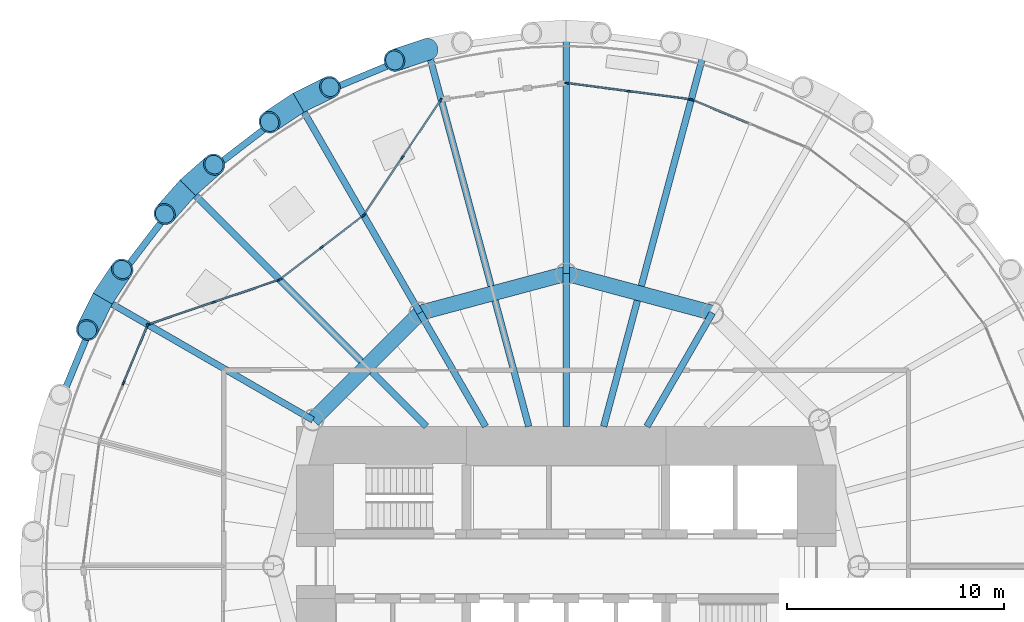
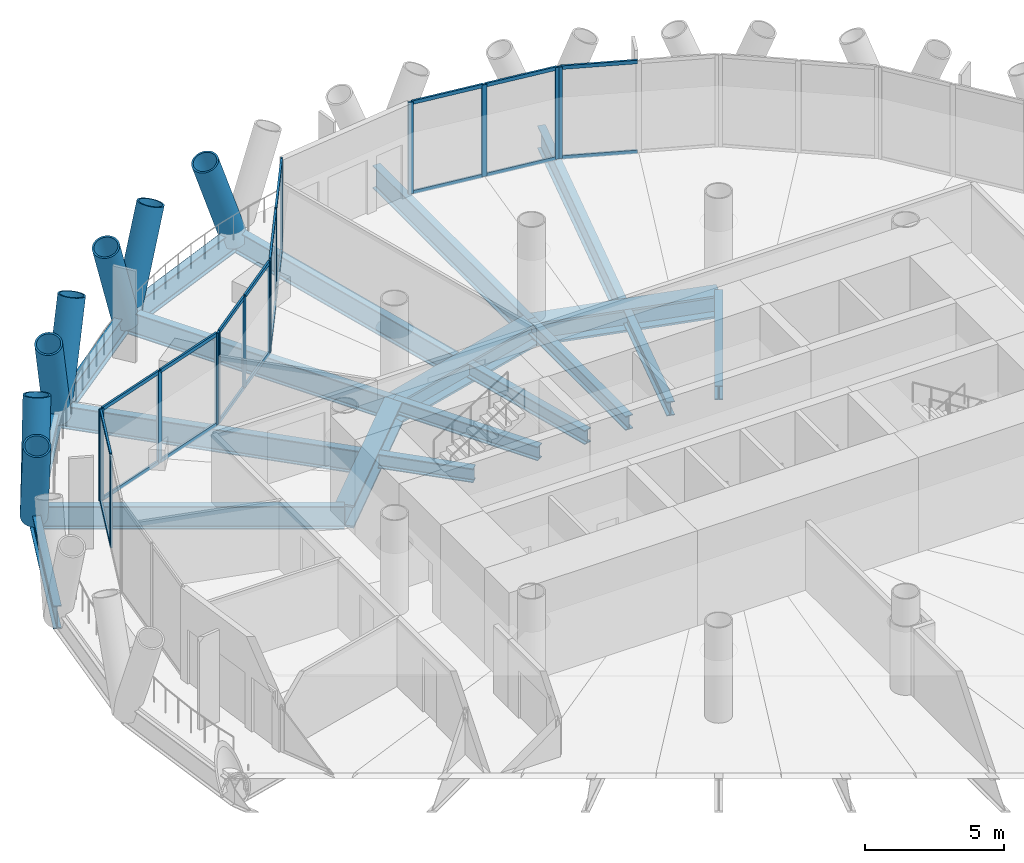
# One storey, part 5 of 14: 42 members, 19 beams, 6 elements without a shape of their own.
"""IFC4 building model written with IfcOpenShell, lengths in metres."""

from ifc_helpers import new_model, si_unit, direction, frame, origin, origin_2d, place, context, subcontext, project, spatial, rectangle, hollow_circle, i_section, extrude, material, material_profile, profile_set, type_object, element, aggregate, save


model = new_model("IFC4")

# Units and contexts
model_context = context("Model", 3, precision=1e-05, world=origin(), true_north=direction((0.0, 1.0)))
body_context = subcontext(model_context, "Body", "Model", "MODEL_VIEW")
ifc_project = project(units=[si_unit("LENGTHUNIT", "METRE"), si_unit("AREAUNIT", "SQUARE_METRE"), si_unit("VOLUMEUNIT", "CUBIC_METRE"), si_unit("PLANEANGLEUNIT", "RADIAN"), si_unit("MASSUNIT", "GRAM", prefix="KILO")], contexts=[model_context])

# Site, building, storey
site_placement = place(None, origin())
site = spatial("IfcSite", under=ifc_project, at=site_placement, CompositionType="ELEMENT")
building_placement = place(site_placement, origin())
building = spatial("IfcBuilding", under=site, at=building_placement, Name="Qaws Media Tower", CompositionType="ELEMENT")
storey_placement = place(building_placement, frame((0.0, 0.0, 160.39990234375)))
storey = spatial("IfcBuildingStorey", under=building, at=storey_placement, Name="L36", CompositionType="ELEMENT", Elevation=160.39990234375)

# Curtain wall, member
ifc_material_1 = material(Name="Aluminium and clear glass", Category="aluminium")
curtain_wall_type_1 = type_object("IfcCurtainWallType", Name="Unitised curtain wall CW-B", PredefinedType="NOTDEFINED", material=ifc_material_1)
curtain_wall_1_placement = place(storey_placement, origin())
curtain_wall_1 = element("IfcCurtainWall", 1, at=curtain_wall_1_placement, inside=storey, type_object=curtain_wall_type_1, Name="CWB curtain wall L36-05", PredefinedType="NOTDEFINED")
ifc_material_2 = material(Name="Aluminium mullion", Category="aluminium")
ifc_material_profile_1 = material_profile(ifc_material_2, rectangle(XDim=0.080078125, YDim=0.199951171875, at=origin_2d()), Name="80x200")
ifc_profile_set_1 = profile_set([ifc_material_profile_1], Name="Aluminium mullion")
member_type_1 = type_object("IfcMemberType", Name="Curtain wall mullion 80x200", PredefinedType="MULLION", material=ifc_profile_set_1)
member_1_placement = place(storey_placement, frame((65.80859375, 71.52490234375, 0.0), z_axis=(0.0, 0.0, 1.0), x_axis=(-0.382683388377, -0.923879550732, 0.0)))
member_1 = element("IfcMember", 2, at=member_1_placement, type_object=member_type_1, Name="CWB mullion 3", PredefinedType="MULLION", context=body_context, shape_type="SweptSolid", body=[
    extrude(rectangle(XDim=0.080078125, YDim=0.199951171875, at=origin_2d()), origin(), (0.0, 0.0, 1.0), 4.0400390625),
])

# Curtain wall, members
curtain_wall_2_placement = place(storey_placement, origin())
curtain_wall_2 = element("IfcCurtainWall", 3, at=curtain_wall_2_placement, inside=storey, type_object=curtain_wall_type_1, Name="CWB curtain wall L36-06", PredefinedType="NOTDEFINED")
member_2_placement = place(storey_placement, frame((65.73193359375, 71.54541015625, 0.0), z_axis=(0.0, 0.0, 1.0), x_axis=(-0.13052617322, -0.991444863875, 0.0)))
member_2 = element("IfcMember", 4, at=member_2_placement, type_object=member_type_1, Name="CWB mullion 1", PredefinedType="MULLION", context=body_context, shape_type="SweptSolid", body=[
    extrude(rectangle(XDim=0.080078125, YDim=0.199951171875, at=origin_2d()), origin(), (0.0, 0.0, 1.0), 4.0400390625),
])
member_3_placement = place(storey_placement, frame((62.8857421875, 71.920166015625, 0.0), z_axis=(0.0, 0.0, 1.0), x_axis=(-0.13052617322, -0.991444863875, 0.0)))
member_3 = element("IfcMember", 5, at=member_3_placement, type_object=member_type_1, Name="CWB mullion 2", PredefinedType="MULLION", context=body_context, shape_type="SweptSolid", body=[
    extrude(rectangle(XDim=0.080078125, YDim=0.199951171875, at=origin_2d()), origin(), (0.0, 0.0, 1.0), 4.0400390625),
])
member_4_placement = place(storey_placement, frame((60.03955078125, 72.294677734375, 0.0), z_axis=(0.0, 0.0, 1.0), x_axis=(-0.13052617322, -0.991444863875, 0.0)))
member_4 = element("IfcMember", 6, at=member_4_placement, type_object=member_type_1, Name="CWB mullion 3", PredefinedType="MULLION", context=body_context, shape_type="SweptSolid", body=[
    extrude(rectangle(XDim=0.080078125, YDim=0.199951171875, at=origin_2d()), origin(), (0.0, 0.0, 1.0), 4.0400390625),
])

ifc_material_3 = material(Name="Aluminium and clear glass", Category="aluminium")
curtain_wall_type_2 = type_object("IfcCurtainWallType", Name="Loggia curtain wall CW-G", PredefinedType="NOTDEFINED", material=ifc_material_3)
curtain_wall_3_placement = place(storey_placement, origin())
curtain_wall_3 = element("IfcCurtainWall", 7, at=curtain_wall_3_placement, inside=storey, type_object=curtain_wall_type_2, Name="CWG curtain wall L36-08", PredefinedType="NOTDEFINED")
member_5_placement = place(storey_placement, frame((54.2060546875, 71.5068359375, 0.0), z_axis=(0.0, 0.0, 1.0), x_axis=(0.830994956547, -0.55627994948, 0.0)))
member_5 = element("IfcMember", 8, at=member_5_placement, type_object=member_type_1, Name="CWG mullion 1", PredefinedType="MULLION", context=body_context, shape_type="SweptSolid", body=[
    extrude(rectangle(XDim=0.080078125, YDim=0.199951171875, at=origin_2d()), origin(), (0.0, 0.0, 1.0), 4.0400390625),
])
member_6_placement = place(storey_placement, frame((52.439208984375, 68.867431640625, 0.0), z_axis=(0.0, 0.0, 1.0), x_axis=(0.830994956547, -0.55627994948, 0.0)))
member_6 = element("IfcMember", 9, at=member_6_placement, type_object=member_type_1, Name="CWG mullion 2", PredefinedType="MULLION", context=body_context, shape_type="SweptSolid", body=[
    extrude(rectangle(XDim=0.080078125, YDim=0.199951171875, at=origin_2d()), origin(), (0.0, 0.0, 1.0), 4.0400390625),
])
member_7_placement = place(storey_placement, frame((50.67236328125, 66.22802734375, 0.0), z_axis=(0.0, 0.0, 1.0), x_axis=(0.830994956547, -0.55627994948, 0.0)))
member_7 = element("IfcMember", 10, at=member_7_placement, type_object=member_type_1, Name="CWG mullion 3", PredefinedType="MULLION", context=body_context, shape_type="SweptSolid", body=[
    extrude(rectangle(XDim=0.080078125, YDim=0.199951171875, at=origin_2d()), origin(), (0.0, 0.0, 1.0), 4.0400390625),
])

curtain_wall_4_placement = place(storey_placement, origin())
curtain_wall_4 = element("IfcCurtainWall", 11, at=curtain_wall_4_placement, inside=storey, type_object=curtain_wall_type_2, Name="CWG curtain wall L36-09", PredefinedType="NOTDEFINED")
member_8_placement = place(storey_placement, frame((50.6181640625, 66.17041015625, 0.0), z_axis=(0.0, 0.0, 1.0), x_axis=(0.608761378759, -0.793353378849, 0.0)))
member_8 = element("IfcMember", 12, at=member_8_placement, type_object=member_type_1, Name="CWG mullion 1", PredefinedType="MULLION", context=body_context, shape_type="SweptSolid", body=[
    extrude(rectangle(XDim=0.080078125, YDim=0.199951171875, at=origin_2d()), origin(), (0.0, 0.0, 1.0), 4.0400390625),
])
member_9_placement = place(storey_placement, frame((48.713623046875, 64.708740234375, 0.0), z_axis=(0.0, 0.0, 1.0), x_axis=(0.608761378759, -0.793353378849, 0.0)))
member_9 = element("IfcMember", 13, at=member_9_placement, type_object=member_type_1, Name="CWG mullion 2", PredefinedType="MULLION", context=body_context, shape_type="SweptSolid", body=[
    extrude(rectangle(XDim=0.080078125, YDim=0.199951171875, at=origin_2d()), origin(), (0.0, 0.0, 1.0), 4.0400390625),
])
member_10_placement = place(storey_placement, frame((46.808837890625, 63.247314453125, 0.0), z_axis=(0.0, 0.0, 1.0), x_axis=(0.608761378759, -0.793353378849, 0.0)))
member_10 = element("IfcMember", 14, at=member_10_placement, type_object=member_type_1, Name="CWG mullion 3", PredefinedType="MULLION", context=body_context, shape_type="SweptSolid", body=[
    extrude(rectangle(XDim=0.080078125, YDim=0.199951171875, at=origin_2d()), origin(), (0.0, 0.0, 1.0), 4.0400390625),
])

curtain_wall_5_placement = place(storey_placement, origin())
curtain_wall_5 = element("IfcCurtainWall", 15, at=curtain_wall_5_placement, inside=storey, type_object=curtain_wall_type_2, Name="CWG curtain wall L36-10", PredefinedType="NOTDEFINED")
member_11_placement = place(storey_placement, frame((46.7392578125, 63.2099609375, 0.0), z_axis=(0.0, 0.0, 1.0), x_axis=(0.322247907199, -0.946655315469, 0.0)))
member_11 = element("IfcMember", 16, at=member_11_placement, type_object=member_type_1, Name="CWG mullion 1", PredefinedType="MULLION", context=body_context, shape_type="SweptSolid", body=[
    extrude(rectangle(XDim=0.080078125, YDim=0.199951171875, at=origin_2d()), origin(), (0.0, 0.0, 1.0), 4.0400390625),
])
member_12_placement = place(storey_placement, frame((43.732421875, 62.1865234375, 0.0), z_axis=(0.0, 0.0, 1.0), x_axis=(0.322247907199, -0.946655315469, 0.0)))
member_12 = element("IfcMember", 17, at=member_12_placement, type_object=member_type_1, Name="CWG mullion 2", PredefinedType="MULLION", context=body_context, shape_type="SweptSolid", body=[
    extrude(rectangle(XDim=0.080078125, YDim=0.199951171875, at=origin_2d()), origin(), (0.0, 0.0, 1.0), 4.0400390625),
])
member_13_placement = place(storey_placement, frame((40.7255859375, 61.162841796875, 0.0), z_axis=(0.0, 0.0, 1.0), x_axis=(0.322247907199, -0.946655315469, 0.0)))
member_13 = element("IfcMember", 18, at=member_13_placement, type_object=member_type_1, Name="CWG mullion 3", PredefinedType="MULLION", context=body_context, shape_type="SweptSolid", body=[
    extrude(rectangle(XDim=0.080078125, YDim=0.199951171875, at=origin_2d()), origin(), (0.0, 0.0, 1.0), 4.0400390625),
])

curtain_wall_6_placement = place(storey_placement, origin())
curtain_wall_6 = element("IfcCurtainWall", 19, at=curtain_wall_6_placement, inside=storey, type_object=curtain_wall_type_1, Name="CWB curtain wall L36-11", PredefinedType="NOTDEFINED")
member_14_placement = place(storey_placement, frame((40.67236328125, 61.113037109375, 0.0), z_axis=(0.0, 0.0, 1.0), x_axis=(0.923879550732, -0.382683388377, 0.0)))
member_14 = element("IfcMember", 20, at=member_14_placement, type_object=member_type_1, Name="CWB mullion 1", PredefinedType="MULLION", context=body_context, shape_type="SweptSolid", body=[
    extrude(rectangle(XDim=0.080078125, YDim=0.199951171875, at=origin_2d()), origin(), (0.0, 0.0, 1.0), 4.0400390625),
])
member_15_placement = place(storey_placement, frame((39.57373046875, 58.4609375, 0.0), z_axis=(0.0, 0.0, 1.0), x_axis=(0.923879550732, -0.382683388377, 0.0)))
member_15 = element("IfcMember", 21, at=member_15_placement, type_object=member_type_1, Name="CWB mullion 2", PredefinedType="MULLION", context=body_context, shape_type="SweptSolid", body=[
    extrude(rectangle(XDim=0.080078125, YDim=0.199951171875, at=origin_2d()), origin(), (0.0, 0.0, 1.0), 4.0400390625),
])

# Member
ifc_material_4 = material(Name="Aluminium transom", Category="aluminium")
ifc_material_profile_2 = material_profile(ifc_material_4, rectangle(XDim=0.080078125, YDim=0.159912109375, at=origin_2d()), Name="80x160")
ifc_profile_set_2 = profile_set([ifc_material_profile_2], Name="Aluminium transom")
member_type_2 = type_object("IfcMemberType", Name="Curtain wall transom 80x160", PredefinedType="USERDEFINED", material=ifc_profile_set_2)
member_16_placement = place(storey_placement, frame((68.423828125, 70.441650390625, 0.0400390625), z_axis=(-0.923895288205, 0.38264539254, 0.0), x_axis=(-0.38264539254, -0.923895288205, 0.0)))
member_16 = element("IfcMember", 22, at=member_16_placement, type_object=member_type_2, Name="CWB transom 2.1", ObjectType="TRANSOM", PredefinedType="USERDEFINED", context=body_context, shape_type="SweptSolid", body=[
    extrude(rectangle(XDim=0.080078125, YDim=0.159912109375, at=origin_2d()), origin(), (0.0, 0.0, 1.0), 2.790771484375),
])

member_17_placement = place(storey_placement, frame((68.423828125, 70.441650390625, 4.0), z_axis=(-0.923895288205, 0.38264539254, 0.0), x_axis=(-0.38264539254, -0.923895288205, 0.0)))
member_17 = element("IfcMember", 23, at=member_17_placement, type_object=member_type_2, Name="CWB transom 2.2", ObjectType="TRANSOM", PredefinedType="USERDEFINED", context=body_context, shape_type="SweptSolid", body=[
    extrude(rectangle(XDim=0.080078125, YDim=0.159912109375, at=origin_2d()), origin(), (0.0, 0.0, 1.0), 2.790771484375),
])

aggregate(curtain_wall_1, [member_1, member_16, member_17])

member_18_placement = place(storey_placement, frame((65.6923828125, 71.550537109375, 0.0400390625), z_axis=(-0.991445062381, 0.130524665408, 0.0), x_axis=(-0.130524665408, -0.991445062381, 0.0)))
member_18 = element("IfcMember", 24, at=member_18_placement, type_object=member_type_2, Name="CWB transom 1.1", ObjectType="TRANSOM", PredefinedType="USERDEFINED", context=body_context, shape_type="SweptSolid", body=[
    extrude(rectangle(XDim=0.080078125, YDim=0.159912109375, at=origin_2d()), origin(), (0.0, 0.0, 1.0), 2.790771484375),
])

member_19_placement = place(storey_placement, frame((65.6923828125, 71.550537109375, 4.0), z_axis=(-0.991445062381, 0.130524665408, 0.0), x_axis=(-0.130524665408, -0.991445062381, 0.0)))
member_19 = element("IfcMember", 25, at=member_19_placement, type_object=member_type_2, Name="CWB transom 1.2", ObjectType="TRANSOM", PredefinedType="USERDEFINED", context=body_context, shape_type="SweptSolid", body=[
    extrude(rectangle(XDim=0.080078125, YDim=0.159912109375, at=origin_2d()), origin(), (0.0, 0.0, 1.0), 2.790771484375),
])

member_20_placement = place(storey_placement, frame((62.84619140625, 71.92529296875, 0.0400390625), z_axis=(-0.991445062381, 0.130524665408, 0.0), x_axis=(-0.130524665408, -0.991445062381, 0.0)))
member_20 = element("IfcMember", 26, at=member_20_placement, type_object=member_type_2, Name="CWB transom 2.1", ObjectType="TRANSOM", PredefinedType="USERDEFINED", context=body_context, shape_type="SweptSolid", body=[
    extrude(rectangle(XDim=0.080078125, YDim=0.159912109375, at=origin_2d()), origin(), (0.0, 0.0, 1.0), 2.790771484375),
])

member_21_placement = place(storey_placement, frame((62.84619140625, 71.92529296875, 4.0), z_axis=(-0.991445062381, 0.130524665408, 0.0), x_axis=(-0.130524665408, -0.991445062381, 0.0)))
member_21 = element("IfcMember", 27, at=member_21_placement, type_object=member_type_2, Name="CWB transom 2.2", ObjectType="TRANSOM", PredefinedType="USERDEFINED", context=body_context, shape_type="SweptSolid", body=[
    extrude(rectangle(XDim=0.080078125, YDim=0.159912109375, at=origin_2d()), origin(), (0.0, 0.0, 1.0), 2.790771484375),
])

aggregate(curtain_wall_2, [member_2, member_3, member_4, member_18, member_19, member_20, member_21])

member_22_placement = place(storey_placement, frame((54.183837890625, 71.4736328125, 0.0400390625), z_axis=(-0.55628224482, -0.830993420009, 0.0), x_axis=(0.830993420009, -0.55628224482, 0.0)))
member_22 = element("IfcMember", 28, at=member_22_placement, type_object=member_type_2, Name="CWG transom 1.1", ObjectType="TRANSOM", PredefinedType="USERDEFINED", context=body_context, shape_type="SweptSolid", body=[
    extrude(rectangle(XDim=0.080078125, YDim=0.159912109375, at=origin_2d()), origin(), (0.0, 0.0, 1.0), 3.09619140625),
])

member_23_placement = place(storey_placement, frame((54.183837890625, 71.4736328125, 4.0), z_axis=(-0.55628224482, -0.830993420009, 0.0), x_axis=(0.830993420009, -0.55628224482, 0.0)))
member_23 = element("IfcMember", 29, at=member_23_placement, type_object=member_type_2, Name="CWG transom 1.2", ObjectType="TRANSOM", PredefinedType="USERDEFINED", context=body_context, shape_type="SweptSolid", body=[
    extrude(rectangle(XDim=0.080078125, YDim=0.159912109375, at=origin_2d()), origin(), (0.0, 0.0, 1.0), 3.09619140625),
])

member_24_placement = place(storey_placement, frame((52.4169921875, 68.834228515625, 0.0400390625), z_axis=(-0.55628224482, -0.830993420009, 0.0), x_axis=(0.830993420009, -0.55628224482, 0.0)))
member_24 = element("IfcMember", 30, at=member_24_placement, type_object=member_type_2, Name="CWG transom 2.1", ObjectType="TRANSOM", PredefinedType="USERDEFINED", context=body_context, shape_type="SweptSolid", body=[
    extrude(rectangle(XDim=0.080078125, YDim=0.159912109375, at=origin_2d()), origin(), (0.0, 0.0, 1.0), 3.09619140625),
])

member_25_placement = place(storey_placement, frame((52.4169921875, 68.834228515625, 4.0), z_axis=(-0.55628224482, -0.830993420009, 0.0), x_axis=(0.830993420009, -0.55628224482, 0.0)))
member_25 = element("IfcMember", 31, at=member_25_placement, type_object=member_type_2, Name="CWG transom 2.2", ObjectType="TRANSOM", PredefinedType="USERDEFINED", context=body_context, shape_type="SweptSolid", body=[
    extrude(rectangle(XDim=0.080078125, YDim=0.159912109375, at=origin_2d()), origin(), (0.0, 0.0, 1.0), 3.09619140625),
])

aggregate(curtain_wall_3, [member_5, member_6, member_7, member_22, member_23, member_24, member_25])

member_26_placement = place(storey_placement, frame((50.58642578125, 66.14599609375, 0.0400390625), z_axis=(-0.793323505501, -0.608800308492, 0.0), x_axis=(0.608800308492, -0.793323505501, 0.0)))
member_26 = element("IfcMember", 32, at=member_26_placement, type_object=member_type_2, Name="CWG transom 1.1", ObjectType="TRANSOM", PredefinedType="USERDEFINED", context=body_context, shape_type="SweptSolid", body=[
    extrude(rectangle(XDim=0.080078125, YDim=0.159912109375, at=origin_2d()), origin(), (0.0, 0.0, 1.0), 2.32080078125),
])

member_27_placement = place(storey_placement, frame((50.58642578125, 66.14599609375, 4.0), z_axis=(-0.793323505501, -0.608800308492, 0.0), x_axis=(0.608800308492, -0.793323505501, 0.0)))
member_27 = element("IfcMember", 33, at=member_27_placement, type_object=member_type_2, Name="CWG transom 1.2", ObjectType="TRANSOM", PredefinedType="USERDEFINED", context=body_context, shape_type="SweptSolid", body=[
    extrude(rectangle(XDim=0.080078125, YDim=0.159912109375, at=origin_2d()), origin(), (0.0, 0.0, 1.0), 2.32080078125),
])

member_28_placement = place(storey_placement, frame((48.681884765625, 64.684326171875, 0.0400390625), z_axis=(-0.793362492225, -0.608749501791, 0.0), x_axis=(0.608749501791, -0.793362492225, 0.0)))
member_28 = element("IfcMember", 34, at=member_28_placement, type_object=member_type_2, Name="CWG transom 2.1", ObjectType="TRANSOM", PredefinedType="USERDEFINED", context=body_context, shape_type="SweptSolid", body=[
    extrude(rectangle(XDim=0.080078125, YDim=0.159912109375, at=origin_2d()), origin(), (0.0, 0.0, 1.0), 2.32080078125),
])

member_29_placement = place(storey_placement, frame((48.681884765625, 64.684326171875, 4.0), z_axis=(-0.793362492225, -0.608749501791, 0.0), x_axis=(0.608749501791, -0.793362492225, 0.0)))
member_29 = element("IfcMember", 35, at=member_29_placement, type_object=member_type_2, Name="CWG transom 2.2", ObjectType="TRANSOM", PredefinedType="USERDEFINED", context=body_context, shape_type="SweptSolid", body=[
    extrude(rectangle(XDim=0.080078125, YDim=0.159912109375, at=origin_2d()), origin(), (0.0, 0.0, 1.0), 2.32080078125),
])

aggregate(curtain_wall_4, [member_8, member_9, member_10, member_26, member_27, member_28, member_29])

member_30_placement = place(storey_placement, frame((46.701416015625, 63.197021484375, 0.0400390625), z_axis=(-0.946653488554, -0.322253274006, 0.0), x_axis=(0.322253274006, -0.946653488554, 0.0)))
member_30 = element("IfcMember", 36, at=member_30_placement, type_object=member_type_2, Name="CWG transom 1.1", ObjectType="TRANSOM", PredefinedType="USERDEFINED", context=body_context, shape_type="SweptSolid", body=[
    extrude(rectangle(XDim=0.080078125, YDim=0.159912109375, at=origin_2d()), origin(), (0.0, 0.0, 1.0), 3.096435546875),
])

member_31_placement = place(storey_placement, frame((46.701416015625, 63.197021484375, 4.0), z_axis=(-0.946653488554, -0.322253274006, 0.0), x_axis=(0.322253274006, -0.946653488554, 0.0)))
member_31 = element("IfcMember", 37, at=member_31_placement, type_object=member_type_2, Name="CWG transom 1.2", ObjectType="TRANSOM", PredefinedType="USERDEFINED", context=body_context, shape_type="SweptSolid", body=[
    extrude(rectangle(XDim=0.080078125, YDim=0.159912109375, at=origin_2d()), origin(), (0.0, 0.0, 1.0), 3.096435546875),
])

member_32_placement = place(storey_placement, frame((43.694580078125, 62.173583984375, 0.0400390625), z_axis=(-0.946653488554, -0.322253274006, 0.0), x_axis=(0.322253274006, -0.946653488554, 0.0)))
member_32 = element("IfcMember", 38, at=member_32_placement, type_object=member_type_2, Name="CWG transom 2.1", ObjectType="TRANSOM", PredefinedType="USERDEFINED", context=body_context, shape_type="SweptSolid", body=[
    extrude(rectangle(XDim=0.080078125, YDim=0.159912109375, at=origin_2d()), origin(), (0.0, 0.0, 1.0), 3.096435546875),
])

member_33_placement = place(storey_placement, frame((43.694580078125, 62.173583984375, 4.0), z_axis=(-0.946653488554, -0.322253274006, 0.0), x_axis=(0.322253274006, -0.946653488554, 0.0)))
member_33 = element("IfcMember", 39, at=member_33_placement, type_object=member_type_2, Name="CWG transom 2.2", ObjectType="TRANSOM", PredefinedType="USERDEFINED", context=body_context, shape_type="SweptSolid", body=[
    extrude(rectangle(XDim=0.080078125, YDim=0.159912109375, at=origin_2d()), origin(), (0.0, 0.0, 1.0), 3.096435546875),
])

aggregate(curtain_wall_5, [member_11, member_12, member_13, member_30, member_31, member_32, member_33])

member_34_placement = place(storey_placement, frame((40.656982421875, 61.076171875, 0.0400390625), z_axis=(-0.38264539254, -0.923895288205, 0.0), x_axis=(0.923895288205, -0.38264539254, 0.0)))
member_34 = element("IfcMember", 40, at=member_34_placement, type_object=member_type_2, Name="CWB transom 1.1", ObjectType="TRANSOM", PredefinedType="USERDEFINED", context=body_context, shape_type="SweptSolid", body=[
    extrude(rectangle(XDim=0.080078125, YDim=0.159912109375, at=origin_2d()), origin(), (0.0, 0.0, 1.0), 2.790771484375),
])

member_35_placement = place(storey_placement, frame((40.656982421875, 61.076171875, 4.0), z_axis=(-0.38264539254, -0.923895288205, 0.0), x_axis=(0.923895288205, -0.38264539254, 0.0)))
member_35 = element("IfcMember", 41, at=member_35_placement, type_object=member_type_2, Name="CWB transom 1.2", ObjectType="TRANSOM", PredefinedType="USERDEFINED", context=body_context, shape_type="SweptSolid", body=[
    extrude(rectangle(XDim=0.080078125, YDim=0.159912109375, at=origin_2d()), origin(), (0.0, 0.0, 1.0), 2.790771484375),
])

aggregate(curtain_wall_6, [member_14, member_15, member_34, member_35])

# Members
ifc_material_5 = material(Name="Steel S460", Category="steel")
ifc_material_profile_3 = material_profile(ifc_material_5, hollow_circle(Radius=0.508056640625, WallThickness=0.070068359375, at=origin_2d()), Name="CHS 1016x70")
ifc_profile_set_3 = profile_set([ifc_material_profile_3], Name="Steel S460")
member_type_3 = type_object("IfcMemberType", Name="Diagrid member CHS 1016x70", PredefinedType="USERDEFINED", material=ifc_profile_set_3)
for number, where, z_axis, x_axis, name in (
    (42, (53.607177734375, 73.8583984375, -0.663818359375), (-0.340171803568, -0.11480120197, 0.933329431703), (0.319761686204, -0.947498002128, 0.0), "DG3 diagrid L36 A08"),
    (43, (47.64990234375, 71.390869140625, -0.663818359375), (-0.298832726202, -0.19895054593, 0.933336853459), (0.554176960096, -0.832398880885, 0.0), "DG3 diagrid L36 A09"),
    (44, (47.64990234375, 71.390869140625, -0.663818359375), (0.321725242768, 0.159343513998, 0.933328727037), (-0.443825411844, 0.896113276211, 0.0), "DG3 diagrid L36 B09"),
    (45, (42.534423828125, 67.465576171875, -0.663818359375), (-0.237199651247, -0.269480939558, 0.933336139161), (0.750635564687, -0.660716466441, 0.0), "DG3 diagrid L36 A10"),
    (46, (42.534423828125, 67.465576171875, -0.663818359375), (0.269480939558, 0.237199651247, 0.933336139161), (-0.660716466441, 0.750635564687, 0.0), "DG3 diagrid L36 B10"),
    (47, (38.609130859375, 62.35009765625, -0.663818359375), (-0.159343513998, -0.321725242768, 0.933328727037), (0.896113276211, -0.443825411844, 0.0), "DG3 diagrid L36 A11"),
    (48, (38.609130859375, 62.35009765625, -0.663818359375), (0.19895054593, 0.298832726202, 0.933336853459), (-0.832398880885, 0.554176960096, 0.0), "DG3 diagrid L36 B11"),
):
    element("IfcMember", number, at=place(storey_placement, frame(where, z_axis=z_axis, x_axis=x_axis)), inside=storey, type_object=member_type_3, Name=name, ObjectType="DIAGRID", PredefinedType="USERDEFINED", context=body_context, shape_type="SweptSolid", body=[
        extrude(hollow_circle(Radius=0.508056640625, WallThickness=0.070068359375, at=origin_2d()), origin(), (0.0, 0.0, 1.0), 4.5),
    ])

# Beams
ifc_material_6 = material(Name="Steel S460", Category="steel")
ifc_material_profile_4 = material_profile(ifc_material_6, i_section(OverallWidth=0.302001953125, OverallDepth=1.008056640625, WebThickness=0.02099609375, FlangeThickness=0.0400390625, FilletRadius=0.030029296875, at=origin_2d()), Name="HE 1000 M")
ifc_profile_set_4 = profile_set([ifc_material_profile_4], Name="Steel S460")
beam_type_1 = type_object("IfcBeamType", Name="Edge ring beam HE 1000 M", PredefinedType="BEAM", material=ifc_profile_set_4)
for number, where, z_axis, x_axis, name in (
    (49, (53.607177734375, 73.8583984375, -0.663818359375), (-0.923882546238, -0.382676156503, 0.0), (0.382676156503, -0.923882546238, 0.0), "RB3 edge ring beam L36-08"),
    (50, (47.64990234375, 71.390869140625, -0.663818359375), (-0.793349726469, -0.608766138604, 0.0), (0.608766138604, -0.793349726469, 0.0), "RB3 edge ring beam L36-09"),
    (51, (42.534423828125, 67.465576171875, -0.663818359375), (-0.608766138604, -0.793349726469, 0.0), (0.793349726469, -0.608766138604, 0.0), "RB3 edge ring beam L36-10"),
    (52, (38.609130859375, 62.35009765625, -0.663818359375), (-0.382676156503, -0.923882546238, 0.0), (0.923882546238, -0.382676156503, 0.0), "RB3 edge ring beam L36-11"),
):
    element("IfcBeam", number, at=place(storey_placement, frame(where, z_axis=z_axis, x_axis=x_axis)), inside=storey, type_object=beam_type_1, Name=name, PredefinedType="BEAM", context=body_context, shape_type="SweptSolid", body=[
        extrude(i_section(OverallWidth=0.302001953125, OverallDepth=1.008056640625, WebThickness=0.02099609375, FlangeThickness=0.0400390625, FilletRadius=0.030029296875, at=origin_2d()), origin(), (0.0, 0.0, 1.0), 6.447998046875),
    ])
ifc_material_7 = material(Name="Steel S460", Category="steel")
ifc_material_profile_5 = material_profile(ifc_material_7, i_section(OverallWidth=0.699951171875, OverallDepth=1.0, WebThickness=0.034912109375, FlangeThickness=0.090087890625, at=origin_2d()), Name="PG 1000x700")
ifc_profile_set_5 = profile_set([ifc_material_profile_5], Name="Steel S460")
beam_type_2 = type_object("IfcBeamType", Name="Inner ring girder PG 1000x700", PredefinedType="BEAM", material=ifc_profile_set_5)
for number, where, z_axis, x_axis, name in (
    (53, (66.75, 61.69140625, -0.659912109375), (-0.965928090778, 0.258810593767, 0.0), (-0.258810593767, -0.965928090778, 0.0), "B3 inner ring beam L36 I03-I04"),
    (54, (60.0, 63.5, -0.659912109375), (-0.965928090778, -0.258810593767, 0.0), (0.258810593767, -0.965928090778, 0.0), "B3 inner ring beam L36 I04-I05"),
):
    element("IfcBeam", number, at=place(storey_placement, frame(where, z_axis=z_axis, x_axis=x_axis)), inside=storey, type_object=beam_type_2, Name=name, PredefinedType="BEAM", context=body_context, shape_type="SweptSolid", body=[
        extrude(i_section(OverallWidth=0.699951171875, OverallDepth=1.0, WebThickness=0.034912109375, FlangeThickness=0.090087890625, at=origin_2d()), origin(), (0.0, 0.0, 1.0), 6.988037109375),
    ])
beam_1_placement = place(storey_placement, frame((53.25, 61.69140625, -0.659912109375), z_axis=(-0.707106781187, -0.707106781187, 0.0), x_axis=(0.707106781187, -0.707106781187, 0.0)))
element("IfcBeam", 55, at=beam_1_placement, inside=storey, type_object=beam_type_2, Name="B3 inner ring beam L36 I05-I06", PredefinedType="BEAM", context=body_context, shape_type="SweptSolid", body=[
    extrude(i_section(OverallWidth=0.699951171875, OverallDepth=1.0, WebThickness=0.034912109375, FlangeThickness=0.090087890625, at=origin_2d()), origin(), (0.0, 0.0, 1.0), 6.98828125),
])
ifc_material_8 = material(Name="Steel S355", Category="steel")
ifc_material_profile_6 = material_profile(ifc_material_8, i_section(OverallWidth=0.302001953125, OverallDepth=1.008056640625, WebThickness=0.02099609375, FlangeThickness=0.0400390625, FilletRadius=0.030029296875, at=origin_2d()), Name="HE 1000 M")
ifc_profile_set_6 = profile_set([ifc_material_profile_6], Name="Steel S355")
beam_type_3 = type_object("IfcBeamType", Name="Radial beam HE 1000 M", PredefinedType="BEAM", material=ifc_profile_set_6)
beam_2_placement = place(storey_placement, frame((63.465576171875, 62.933837890625, -0.663818359375), z_axis=(0.258820605704, 0.965925408126, 0.0), x_axis=(-0.965925408126, 0.258820605704, 0.0)))
element("IfcBeam", 56, at=beam_2_placement, inside=storey, type_object=beam_type_3, Name="B1 radial beam L36 06", PredefinedType="BEAM", context=body_context, shape_type="SweptSolid", body=[
    extrude(i_section(OverallWidth=0.302001953125, OverallDepth=1.008056640625, WebThickness=0.02099609375, FlangeThickness=0.0400390625, FilletRadius=0.030029296875, at=origin_2d()), origin(), (0.0, 0.0, 1.0), 11.31005859375),
])
beam_3_placement = place(storey_placement, frame((60.0, 63.5, -0.663818359375), z_axis=(0.0, 1.0, 0.0), x_axis=(-1.0, 0.0, 0.0)))
element("IfcBeam", 57, at=beam_3_placement, inside=storey, type_object=beam_type_3, Name="B1 radial beam L36 07", PredefinedType="BEAM", context=body_context, shape_type="SweptSolid", body=[
    extrude(i_section(OverallWidth=0.302001953125, OverallDepth=1.008056640625, WebThickness=0.02099609375, FlangeThickness=0.0400390625, FilletRadius=0.030029296875, at=origin_2d()), origin(), (0.0, 0.0, 1.0), 11.199951171875),
])
beam_4_placement = place(storey_placement, frame((56.534423828125, 62.933837890625, -0.663818359375), z_axis=(-0.258820605704, 0.965925408126, 0.0), x_axis=(-0.965925408126, -0.258820605704, 0.0)))
element("IfcBeam", 58, at=beam_4_placement, inside=storey, type_object=beam_type_3, Name="B1 radial beam L36 08", PredefinedType="BEAM", context=body_context, shape_type="SweptSolid", body=[
    extrude(i_section(OverallWidth=0.302001953125, OverallDepth=1.008056640625, WebThickness=0.02099609375, FlangeThickness=0.0400390625, FilletRadius=0.030029296875, at=origin_2d()), origin(), (0.0, 0.0, 1.0), 11.31005859375),
])
beam_5_placement = place(storey_placement, frame((53.25, 61.69140625, -0.663818359375), z_axis=(-0.500007375767, 0.866021145342, 0.0), x_axis=(-0.866021145342, -0.500007375767, 0.0)))
element("IfcBeam", 59, at=beam_5_placement, inside=storey, type_object=beam_type_3, Name="B1 radial beam L36 09", PredefinedType="BEAM", context=body_context, shape_type="SweptSolid", body=[
    extrude(i_section(OverallWidth=0.302001953125, OverallDepth=1.008056640625, WebThickness=0.02099609375, FlangeThickness=0.0400390625, FilletRadius=0.030029296875, at=origin_2d()), origin(), (0.0, 0.0, 1.0), 11.199951171875),
])
beam_6_placement = place(storey_placement, frame((50.53173828125, 59.46826171875, -0.663818359375), z_axis=(-0.707106781187, 0.707106781187, 0.0), x_axis=(-0.707106781187, -0.707106781187, 0.0)))
element("IfcBeam", 60, at=beam_6_placement, inside=storey, type_object=beam_type_3, Name="B1 radial beam L36 10", PredefinedType="BEAM", context=body_context, shape_type="SweptSolid", body=[
    extrude(i_section(OverallWidth=0.302001953125, OverallDepth=1.008056640625, WebThickness=0.02099609375, FlangeThickness=0.0400390625, FilletRadius=0.030029296875, at=origin_2d()), origin(), (0.0, 0.0, 1.0), 11.309814453125),
])
beam_7_placement = place(storey_placement, frame((48.30859375, 56.75, -0.663818359375), z_axis=(-0.866021145342, 0.500007375767, 0.0), x_axis=(-0.500007375767, -0.866021145342, 0.0)))
element("IfcBeam", 61, at=beam_7_placement, inside=storey, type_object=beam_type_3, Name="B1 radial beam L36 11", PredefinedType="BEAM", context=body_context, shape_type="SweptSolid", body=[
    extrude(i_section(OverallWidth=0.302001953125, OverallDepth=1.008056640625, WebThickness=0.02099609375, FlangeThickness=0.0400390625, FilletRadius=0.030029296875, at=origin_2d()), origin(), (0.0, 0.0, 1.0), 11.199951171875),
])
ifc_material_9 = material(Name="Steel S355", Category="steel")
ifc_material_profile_7 = material_profile(ifc_material_9, i_section(OverallWidth=0.304931640625, OverallDepth=0.6201171875, WebThickness=0.02099609375, FlangeThickness=0.0400390625, FilletRadius=0.027099609375, at=origin_2d()), Name="HE 600 M")
ifc_profile_set_7 = profile_set([ifc_material_profile_7], Name="Steel S355")
beam_type_4 = type_object("IfcBeamType", Name="Radial beam HE 600 M, core side", PredefinedType="BEAM", material=ifc_profile_set_7)
beam_8_placement = place(storey_placement, frame((63.723876953125, 56.449951171875, -0.469970703125), z_axis=(0.499995978368, 0.866027725662, 0.0), x_axis=(-0.866027725662, 0.499995978368, 0.0)))
element("IfcBeam", 62, at=beam_8_placement, inside=storey, type_object=beam_type_4, Name="B2 radial beam L36 05", PredefinedType="BEAM", context=body_context, shape_type="SweptSolid", body=[
    extrude(i_section(OverallWidth=0.304931640625, OverallDepth=0.6201171875, WebThickness=0.02099609375, FlangeThickness=0.0400390625, FilletRadius=0.027099609375, at=origin_2d()), origin(), (0.0, 0.0, 1.0), 6.05224609375),
])
beam_9_placement = place(storey_placement, frame((61.728271484375, 56.449951171875, -0.469970703125), z_axis=(0.258819977482, 0.965925576458, 0.0), x_axis=(-0.965925576458, 0.258819977482, 0.0)))
element("IfcBeam", 63, at=beam_9_placement, inside=storey, type_object=beam_type_4, Name="B2 radial beam L36 06", PredefinedType="BEAM", context=body_context, shape_type="SweptSolid", body=[
    extrude(i_section(OverallWidth=0.304931640625, OverallDepth=0.6201171875, WebThickness=0.02099609375, FlangeThickness=0.0400390625, FilletRadius=0.027099609375, at=origin_2d()), origin(), (0.0, 0.0, 1.0), 6.012451171875),
])
beam_10_placement = place(storey_placement, frame((60.0, 56.449951171875, -0.469970703125), z_axis=(0.0, 1.0, 0.0), x_axis=(-1.0, 0.0, 0.0)))
element("IfcBeam", 64, at=beam_10_placement, inside=storey, type_object=beam_type_4, Name="B2 radial beam L36 07", PredefinedType="BEAM", context=body_context, shape_type="SweptSolid", body=[
    extrude(i_section(OverallWidth=0.304931640625, OverallDepth=0.6201171875, WebThickness=0.02099609375, FlangeThickness=0.0400390625, FilletRadius=0.027099609375, at=origin_2d()), origin(), (0.0, 0.0, 1.0), 7.050048828125),
])
beam_11_placement = place(storey_placement, frame((58.271728515625, 56.449951171875, -0.469970703125), z_axis=(-0.258819977482, 0.965925576458, 0.0), x_axis=(-0.965925576458, -0.258819977482, 0.0)))
element("IfcBeam", 65, at=beam_11_placement, inside=storey, type_object=beam_type_4, Name="B2 radial beam L36 08", PredefinedType="BEAM", context=body_context, shape_type="SweptSolid", body=[
    extrude(i_section(OverallWidth=0.304931640625, OverallDepth=0.6201171875, WebThickness=0.02099609375, FlangeThickness=0.0400390625, FilletRadius=0.027099609375, at=origin_2d()), origin(), (0.0, 0.0, 1.0), 6.012451171875),
])
beam_12_placement = place(storey_placement, frame((56.276123046875, 56.449951171875, -0.469970703125), z_axis=(-0.499995978368, 0.866027725662, 0.0), x_axis=(-0.866027725662, -0.499995978368, 0.0)))
element("IfcBeam", 66, at=beam_12_placement, inside=storey, type_object=beam_type_4, Name="B2 radial beam L36 09", PredefinedType="BEAM", context=body_context, shape_type="SweptSolid", body=[
    extrude(i_section(OverallWidth=0.304931640625, OverallDepth=0.6201171875, WebThickness=0.02099609375, FlangeThickness=0.0400390625, FilletRadius=0.027099609375, at=origin_2d()), origin(), (0.0, 0.0, 1.0), 6.05224609375),
])
beam_13_placement = place(storey_placement, frame((53.550048828125, 56.449951171875, -0.469970703125), z_axis=(-0.707106781187, 0.707106781187, 0.0), x_axis=(-0.707106781187, -0.707106781187, 0.0)))
element("IfcBeam", 67, at=beam_13_placement, inside=storey, type_object=beam_type_4, Name="B2 radial beam L36 10", PredefinedType="BEAM", context=body_context, shape_type="SweptSolid", body=[
    extrude(i_section(OverallWidth=0.304931640625, OverallDepth=0.6201171875, WebThickness=0.02099609375, FlangeThickness=0.0400390625, FilletRadius=0.027099609375, at=origin_2d()), origin(), (0.0, 0.0, 1.0), 3.568359375),
])

save(model, "model.ifc")
